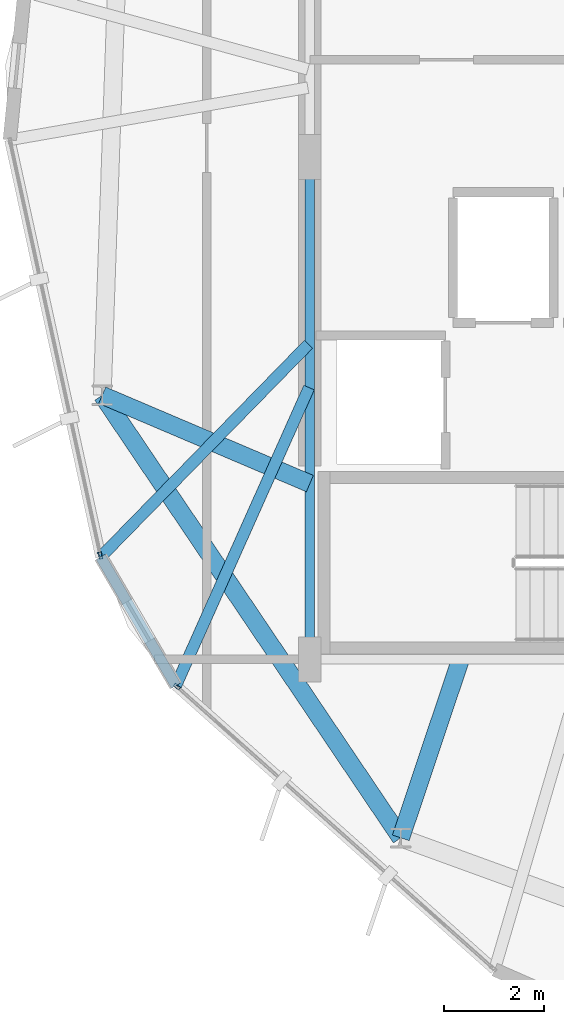
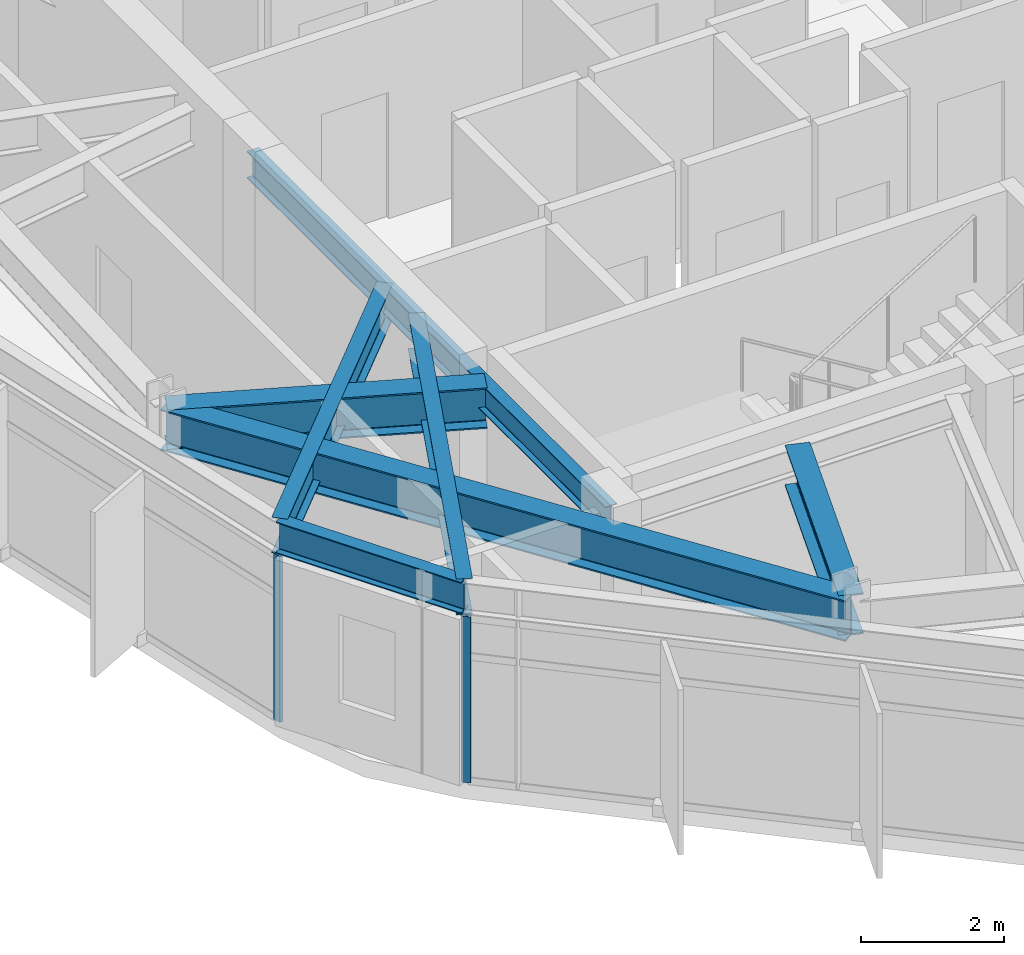
# One storey, part 3 of 25: 7 beams, 2 members, 2 elements without a shape of their own.
"""IFC4 building model written with IfcOpenShell, lengths in metres."""

from ifc_helpers import new_model, si_unit, direction, frame, origin, origin_2d, place, context, subcontext, project, spatial, hollow_rectangle, i_section, extrude, material, layer, layer_set, material_profile, profile_set, type_object, element, aggregate, save


model = new_model("IFC4")

# Units and contexts
model_context = context("Model", 3, precision=1e-05, world=origin(), true_north=direction((0.0, 1.0)))
body_context = subcontext(model_context, "Body", "Model", "MODEL_VIEW")
ifc_project = project(units=[si_unit("LENGTHUNIT", "METRE"), si_unit("AREAUNIT", "SQUARE_METRE"), si_unit("VOLUMEUNIT", "CUBIC_METRE"), si_unit("PLANEANGLEUNIT", "RADIAN"), si_unit("MASSUNIT", "GRAM", prefix="KILO")], contexts=[model_context])

# Site, building, storey
site_placement = place(None, origin())
site = spatial("IfcSite", under=ifc_project, at=site_placement, CompositionType="ELEMENT")
building_placement = place(site_placement, origin())
building = spatial("IfcBuilding", under=site, at=building_placement, Name="Soratama Intermodal Tower", CompositionType="ELEMENT")
storey_placement = place(building_placement, frame((0.0, 0.0, 276.25)))
storey = spatial("IfcBuildingStorey", under=building, at=storey_placement, Name="L70", CompositionType="ELEMENT", Elevation=276.25)

# Beams
ifc_material_1 = material(Name="Structural steel ASTM A992 Grade 50", Category="steel")
ifc_material_profile_1 = material_profile(ifc_material_1, i_section(OverallWidth=0.19091796875, OverallDepth=0.4599609375, WebThickness=0.010009765625, FlangeThickness=0.01611328125, FilletRadius=0.010986328125, at=origin_2d()), Name="W18X55")
ifc_profile_set_1 = profile_set([ifc_material_profile_1], Name="Structural steel ASTM A992 Grade 50")
beam_type_1 = type_object("IfcBeamType", Name="BM-FLR-W18X55", PredefinedType="BEAM", material=ifc_profile_set_1)
beam_1_placement = place(storey_placement, frame((32.60009765625, 25.0, 3.219970703125), z_axis=(0.0, -1.0, 0.0), x_axis=(1.0, 0.0, 0.0)))
element("IfcBeam", 1, at=beam_1_placement, inside=storey, type_object=beam_type_1, Name="BM-L70-CRING-09", PredefinedType="BEAM", context=body_context, shape_type="SweptSolid", body=[
    extrude(i_section(OverallWidth=0.19091796875, OverallDepth=0.4599609375, WebThickness=0.010009765625, FlangeThickness=0.01611328125, FilletRadius=0.010986328125, at=origin_2d()), origin(), (0.0, 0.0, 1.0), 10.0),
])
ifc_material_2 = material(Name="Structural steel ASTM A992 Grade 50", Category="steel")
ifc_material_profile_2 = material_profile(ifc_material_2, i_section(OverallWidth=0.35498046875, OverallDepth=0.695068359375, WebThickness=0.015380859375, FlangeThickness=0.02490234375, FilletRadius=0.01611328125, at=origin_2d()), Name="W27X146")
ifc_profile_set_2 = profile_set([ifc_material_profile_2], Name="Structural steel ASTM A992 Grade 50")
beam_type_2 = type_object("IfcBeamType", Name="BM-RING-W27X146", PredefinedType="BEAM", material=ifc_profile_set_2)
beam_2_placement = place(storey_placement, frame((28.466064453125, 20.259033203125, 3.1025390625), z_axis=(0.559218025165, -0.829020627204, 0.0), x_axis=(0.829020627204, 0.559218025165, 0.0)))
element("IfcBeam", 2, at=beam_2_placement, inside=storey, type_object=beam_type_2, Name="BM-L70-RING-06", PredefinedType="BEAM", context=body_context, shape_type="SweptSolid", body=[
    extrude(i_section(OverallWidth=0.35498046875, OverallDepth=0.695068359375, WebThickness=0.015380859375, FlangeThickness=0.02490234375, FilletRadius=0.01611328125, at=origin_2d()), origin(), (0.0, 0.0, 1.0), 10.630615234375),
])
beam_3_placement = place(storey_placement, frame((32.60009765625, 18.5, 3.1025390625), z_axis=(-0.920165049547, 0.391530690485, 0.0), x_axis=(-0.391530690485, -0.920165049547, 0.0)))
element("IfcBeam", 3, at=beam_3_placement, inside=storey, type_object=beam_type_2, Name="BM-L70-RAD-06", PredefinedType="BEAM", context=body_context, shape_type="SweptSolid", body=[
    extrude(i_section(OverallWidth=0.35498046875, OverallDepth=0.695068359375, WebThickness=0.015380859375, FlangeThickness=0.02490234375, FilletRadius=0.01611328125, at=origin_2d()), origin(), (0.0, 0.0, 1.0), 4.49267578125),
])
beam_4_placement = place(storey_placement, frame((35.60009765625, 15.0, 3.1025390625), z_axis=(-0.317321993996, -0.948317853953, 0.0), x_axis=(0.948317853953, -0.317321993996, 0.0)))
element("IfcBeam", 4, at=beam_4_placement, inside=storey, type_object=beam_type_2, Name="BM-L70-RAD-07", PredefinedType="BEAM", context=body_context, shape_type="SweptSolid", body=[
    extrude(i_section(OverallWidth=0.35498046875, OverallDepth=0.695068359375, WebThickness=0.015380859375, FlangeThickness=0.02490234375, FilletRadius=0.01611328125, at=origin_2d()), origin(), (0.0, 0.0, 1.0), 3.74755859375),
])
ifc_material_3 = material(Name="Structural steel ASTM A992 Grade 50", Category="steel")
ifc_material_profile_3 = material_profile(ifc_material_3, i_section(OverallWidth=0.2099609375, OverallDepth=0.537109375, WebThickness=0.010986328125, FlangeThickness=0.017333984375, FilletRadius=0.012939453125, at=origin_2d()), Name="W21X68")
ifc_profile_set_3 = profile_set([ifc_material_profile_3], Name="Structural steel ASTM A992 Grade 50")
beam_type_3 = type_object("IfcBeamType", Name="BM-SPN-W21X68", PredefinedType="SPANDREL", material=ifc_profile_set_3)
beam_5_placement = place(storey_placement, frame((28.43603515625, 17.0390625, 3.181396484375), z_axis=(0.504515450366, -0.863402664081, 0.0), x_axis=(0.863402664081, 0.504515450366, 0.0)))
element("IfcBeam", 5, at=beam_5_placement, inside=storey, type_object=beam_type_3, Name="BS-L70-CRN04", PredefinedType="SPANDREL", context=body_context, shape_type="SweptSolid", body=[
    extrude(i_section(OverallWidth=0.2099609375, OverallDepth=0.537109375, WebThickness=0.010986328125, FlangeThickness=0.017333984375, FilletRadius=0.012939453125, at=origin_2d()), origin(), (0.0, 0.0, 1.0), 2.96728515625),
])
ifc_material_4 = material(Name="Structural steel ASTM A992 Grade 50", Category="steel")
ifc_material_profile_4 = material_profile(ifc_material_4, i_section(OverallWidth=0.22900390625, OverallDepth=0.612060546875, WebThickness=0.011962890625, FlangeThickness=0.01953125, FilletRadius=0.012939453125, at=origin_2d()), Name="W24X84")
ifc_profile_set_4 = profile_set([ifc_material_profile_4], Name="Structural steel ASTM A992 Grade 50")
beam_type_4 = type_object("IfcBeamType", Name="BM-TIE-W24X84", PredefinedType="BEAM", material=ifc_profile_set_4)
beam_6_placement = place(storey_placement, frame((32.572021484375, 21.27294921875, 3.14404296875), z_axis=(-0.698788122922, -0.715328707143, 0.0), x_axis=(0.715328707143, -0.698788122922, 0.0)))
element("IfcBeam", 6, at=beam_6_placement, inside=storey, type_object=beam_type_4, Name="BM-L70-TIE1-04", PredefinedType="BEAM", context=body_context, shape_type="SweptSolid", body=[
    extrude(i_section(OverallWidth=0.22900390625, OverallDepth=0.612060546875, WebThickness=0.011962890625, FlangeThickness=0.01953125, FilletRadius=0.012939453125, at=origin_2d()), origin(), (0.0, 0.0, 1.0), 5.918701171875),
])
beam_7_placement = place(storey_placement, frame((32.583984375, 20.412109375, 3.14404296875), z_axis=(-0.407817488054, -0.913063467913, 0.0), x_axis=(0.913063467913, -0.407817488054, 0.0)))
element("IfcBeam", 7, at=beam_7_placement, inside=storey, type_object=beam_type_4, Name="BM-L70-TIE0-05", PredefinedType="BEAM", context=body_context, shape_type="SweptSolid", body=[
    extrude(i_section(OverallWidth=0.22900390625, OverallDepth=0.612060546875, WebThickness=0.011962890625, FlangeThickness=0.01953125, FilletRadius=0.012939453125, at=origin_2d()), origin(), (0.0, 0.0, 1.0), 6.500244140625),
])

# Curtain wall, member
ifc_material_5 = material(Name="Double-glazed aluminium curtain wall", Category="aluminium")
ifc_layer = layer(ifc_material_5, 0.159912109375)
ifc_layer_set = layer_set([ifc_layer], Name="Double-glazed aluminium curtain wall")
curtain_wall_type = type_object("IfcCurtainWallType", Name="CW-SYS-5", PredefinedType="NOTDEFINED", material=ifc_layer_set)
curtain_wall_1_placement = place(storey_placement, origin())
curtain_wall_1 = element("IfcCurtainWall", 8, at=curtain_wall_1_placement, inside=storey, type_object=curtain_wall_type, Name="L70 Faceted Curtain Wall F04", PredefinedType="NOTDEFINED")
ifc_material_6 = material(Name="Anodised aluminium AA 6063-T6", Category="aluminium")
ifc_material_profile_5 = material_profile(ifc_material_6, hollow_rectangle(XDim=0.06494140625, YDim=0.139892578125, WallThickness=0.0048828125, InnerFilletRadius=0.0048828125, OuterFilletRadius=0.010009765625, at=origin_2d()), Name="CWM140X65X5")
ifc_profile_set_5 = profile_set([ifc_material_profile_5], Name="Anodised aluminium AA 6063-T6")
member_type = type_object("IfcMemberType", Name="MT-CWM-5", PredefinedType="MULLION", material=ifc_profile_set_5)
member_1_placement = place(storey_placement, frame((28.429443359375, 17.068115234375, 0.0), z_axis=(0.0, 0.0, 1.0), x_axis=(0.977046001187, 0.213028429004, 0.0)))
member_1 = element("IfcMember", 9, at=member_1_placement, type_object=member_type, Name="CW-5 mullion 2", PredefinedType="MULLION", context=body_context, shape_type="SweptSolid", body=[
    extrude(hollow_rectangle(XDim=0.06494140625, YDim=0.139892578125, WallThickness=0.0048828125, InnerFilletRadius=0.0048828125, OuterFilletRadius=0.010009765625, at=origin_2d()), origin(), (0.0, 0.0, 1.0), 2.8291015625),
])
aggregate(curtain_wall_1, [member_1])

curtain_wall_2_placement = place(storey_placement, origin())
curtain_wall_2 = element("IfcCurtainWall", 10, at=curtain_wall_2_placement, inside=storey, type_object=curtain_wall_type, Name="L70 Faceted Curtain Wall F05", PredefinedType="NOTDEFINED")
member_2_placement = place(storey_placement, frame((29.955078125, 14.45751953125, 0.0), z_axis=(0.0, 0.0, 1.0), x_axis=(0.665233827722, 0.746635087881, 0.0)))
member_2 = element("IfcMember", 11, at=member_2_placement, type_object=member_type, Name="CW-5 mullion 1", PredefinedType="MULLION", context=body_context, shape_type="SweptSolid", body=[
    extrude(hollow_rectangle(XDim=0.06494140625, YDim=0.139892578125, WallThickness=0.0048828125, InnerFilletRadius=0.0048828125, OuterFilletRadius=0.010009765625, at=origin_2d()), origin(), (0.0, 0.0, 1.0), 2.8291015625),
])
aggregate(curtain_wall_2, [member_2])

save(model, "model.ifc")
